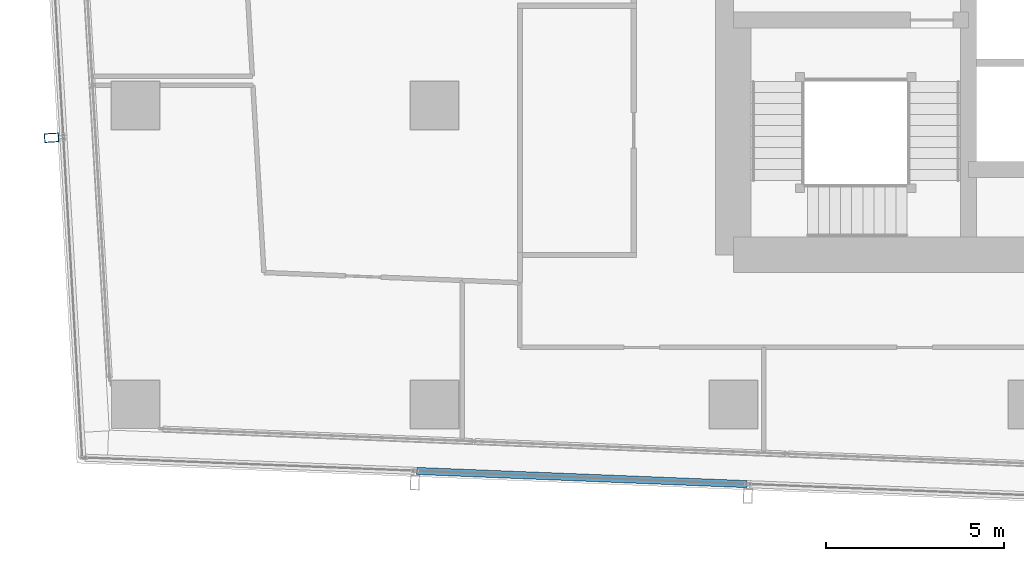
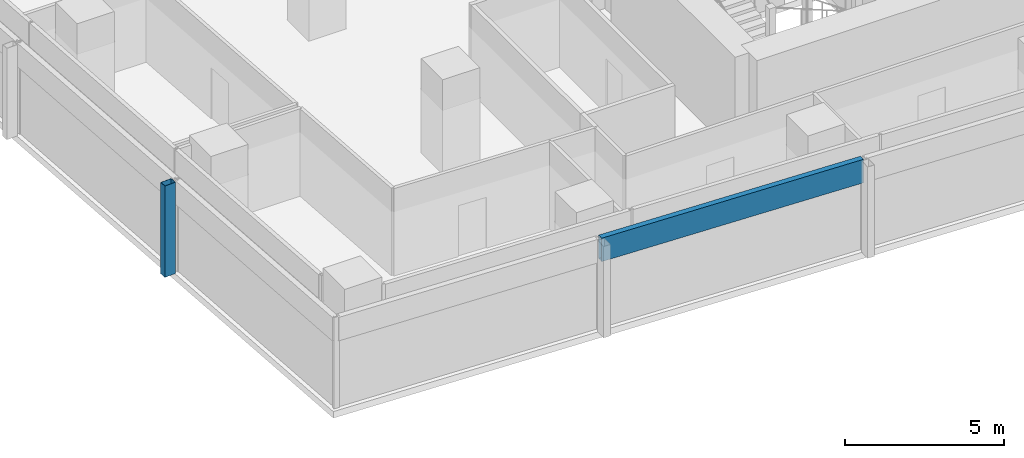
# One storey, part 4 of 39: 2 members, 2 elements without a shape of their own.
"""IFC4 building model written with IfcOpenShell, lengths in metres."""

from ifc_helpers import new_model, si_unit, direction, frame, origin, origin_2d, place, context, subcontext, project, spatial, hollow_rectangle, extrude, material, material_profile, profile_set, type_object, element, aggregate, save


model = new_model("IFC4")

# Units and contexts
model_context = context("Model", 3, precision=1e-05, world=origin(), true_north=direction((0.0, 1.0)))
body_context = subcontext(model_context, "Body", "Model", "MODEL_VIEW")
ifc_project = project(units=[si_unit("LENGTHUNIT", "METRE"), si_unit("AREAUNIT", "SQUARE_METRE"), si_unit("VOLUMEUNIT", "CUBIC_METRE"), si_unit("PLANEANGLEUNIT", "RADIAN"), si_unit("MASSUNIT", "GRAM", prefix="KILO")], contexts=[model_context])

# Site, building, storey
site_placement = place(None, origin())
site = spatial("IfcSite", under=ifc_project, at=site_placement, CompositionType="ELEMENT")
building_placement = place(site_placement, origin())
building = spatial("IfcBuilding", under=site, at=building_placement, Name="Rekha Terrace Tower", CompositionType="ELEMENT")
storey_placement = place(building_placement, frame((0.0, 0.0, 187.699951171875)))
storey = spatial("IfcBuildingStorey", under=building, at=storey_placement, Name="L47", CompositionType="ELEMENT", Elevation=187.699951171875)

# Curtain wall, member
ifc_material_1 = material(Name="Aluminium framing", Category="aluminium")
curtain_wall_type = type_object("IfcCurtainWallType", Name="CW2 double skin outer glazing", PredefinedType="USERDEFINED", material=ifc_material_1)
curtain_wall_1_placement = place(storey_placement, origin())
curtain_wall_1 = element("IfcCurtainWall", 1, at=curtain_wall_1_placement, inside=storey, type_object=curtain_wall_type, Name="CW2 double skin outer glazing", ObjectType="DOUBLE SKIN OUTER GLAZING", PredefinedType="USERDEFINED")
ifc_material_2 = material(Name="Steel S355 with fluorocarbon finish", Category="steel")
ifc_material_profile_1 = material_profile(ifc_material_2, hollow_rectangle(XDim=0.25, YDim=0.39990234375, WallThickness=0.012451171875, at=origin_2d()), Name="RHS400x250x12.5")
ifc_profile_set_1 = profile_set([ifc_material_profile_1], Name="Steel S355 with fluorocarbon finish")
member_type_1 = type_object("IfcMemberType", Name="BL1 facade blade RHS 400 x 250", PredefinedType="USERDEFINED", material=ifc_profile_set_1)
member_1_placement = place(storey_placement, frame((6.03662109375, 24.292236328125, 0.0), z_axis=(0.0, 0.0, 1.0), x_axis=(0.058764522885, -0.998271872212, 0.0)))
member_1 = element("IfcMember", 2, at=member_1_placement, type_object=member_type_1, Name="Facade blade", ObjectType="FACADE BLADE", PredefinedType="USERDEFINED", context=body_context, shape_type="SweptSolid", body=[
    extrude(hollow_rectangle(XDim=0.25, YDim=0.39990234375, WallThickness=0.012451171875, at=origin_2d()), origin(), (0.0, 0.0, 1.0), 3.5),
])
aggregate(curtain_wall_1, [member_1])

curtain_wall_2_placement = place(storey_placement, origin())
curtain_wall_2 = element("IfcCurtainWall", 3, at=curtain_wall_2_placement, inside=storey, type_object=curtain_wall_type, Name="CW2 double skin outer glazing", ObjectType="DOUBLE SKIN OUTER GLAZING", PredefinedType="USERDEFINED")
ifc_material_3 = material(Name="Insulated aluminium spandrel box", Category="aluminium")
ifc_material_profile_2 = material_profile(ifc_material_3, hollow_rectangle(XDim=0.199951171875, YDim=0.89990234375, WallThickness=0.0029296875, at=origin_2d()), Name="AL SPANDREL BOX 200x900")
ifc_profile_set_2 = profile_set([ifc_material_profile_2], Name="Insulated aluminium spandrel box")
member_type_2 = type_object("IfcMemberType", Name="CW2 spandrel transom 200 x 900", PredefinedType="USERDEFINED", material=ifc_profile_set_2)
member_2_placement = place(storey_placement, frame((16.2998046875, 14.928955078125, 3.050048828125), z_axis=(0.999205404308, -0.039856743486, 0.0), x_axis=(0.039856743486, 0.999205404308, 0.0)))
member_2 = element("IfcMember", 4, at=member_2_placement, type_object=member_type_2, Name="CW2 spandrel transom 2", ObjectType="TRANSOM", PredefinedType="USERDEFINED", context=body_context, shape_type="SweptSolid", body=[
    extrude(hollow_rectangle(XDim=0.199951171875, YDim=0.89990234375, WallThickness=0.0029296875, at=origin_2d()), origin(), (0.0, 0.0, 1.0), 9.2861328125),
])
aggregate(curtain_wall_2, [member_2])

save(model, "model.ifc")
